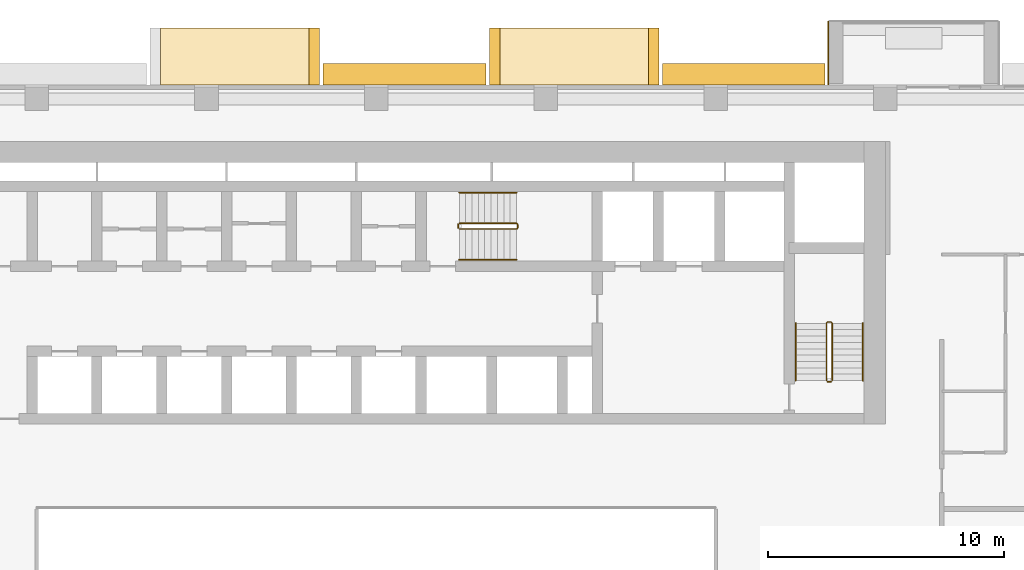
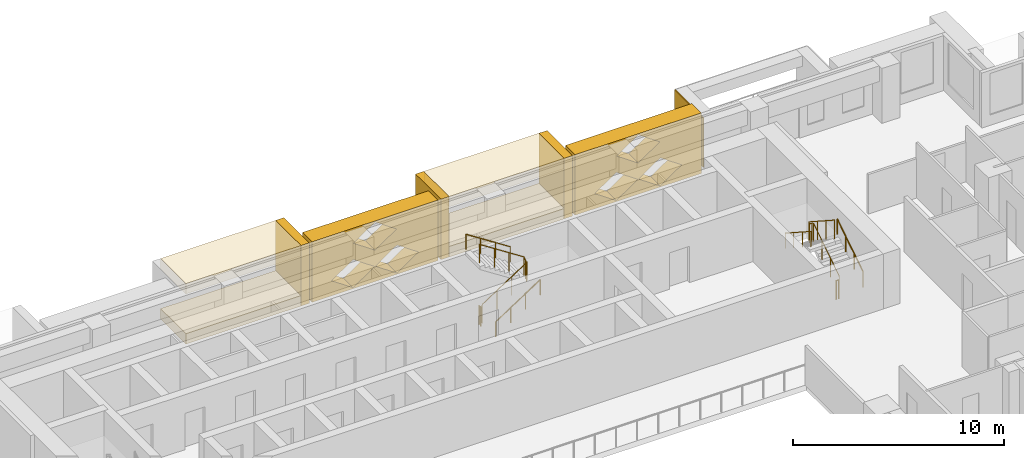
# One storey, part 15 of 16: 10 coverings, 8 railings.
"""IFC4 building model written with IfcOpenShell, lengths in metres."""

from ifc_helpers import new_model, si_unit, direction, frame, origin, origin_2d, place, context, subcontext, project, spatial, polyline, circle, outline, extrude, material, layer, layer_set, type_object, element, save


model = new_model("IFC4")

# Units and contexts
model_context = context("Model", 3, precision=1e-05, world=origin(), true_north=direction((0.0, 1.0)))
body_context = subcontext(model_context, "Body", "Model", "MODEL_VIEW")
ifc_project = project(units=[si_unit("LENGTHUNIT", "METRE"), si_unit("AREAUNIT", "SQUARE_METRE"), si_unit("VOLUMEUNIT", "CUBIC_METRE"), si_unit("PLANEANGLEUNIT", "RADIAN"), si_unit("MASSUNIT", "GRAM", prefix="KILO")], contexts=[model_context])

# Site, building, storey
site_placement = place(None, origin())
site = spatial("IfcSite", under=ifc_project, at=site_placement, CompositionType="ELEMENT")
building_placement = place(site_placement, origin())
building = spatial("IfcBuilding", under=site, at=building_placement, Name="Saffron Iwan Residences", CompositionType="ELEMENT")
storey_placement = place(building_placement, frame((0.0, 0.0, 69.0)))
storey = spatial("IfcBuildingStorey", under=building, at=storey_placement, Name="L17", CompositionType="ELEMENT", Elevation=69.0)

# Coverings
ifc_material_1 = material(Name="Precast concrete C40/50 white painted", Category="concrete")
ifc_layer = layer(ifc_material_1, 0.050048828125)
ifc_layer_set = layer_set([ifc_layer], Name="Precast concrete C40/50 white painted")
covering_type_1 = type_object("IfcCoveringType", Name="FRAME SKIN PRECAST WHITE 50", PredefinedType="CLADDING", material=ifc_layer_set)
covering_1_placement = place(storey_placement, origin())
element("IfcCovering", 1, at=covering_1_placement, inside=storey, type_object=covering_type_1, Name="Frame skin fin L17 F5-0b", PredefinedType="CLADDING", context=body_context, shape_type="SweptSolid", body=[
    extrude(outline(polyline([(69.60009765625, 83.10009765625), (69.550048828125, 83.10009765625), (69.550048828125, 80.39990234375), (69.60009765625, 80.39990234375), (69.60009765625, 83.10009765625)])), origin(), (0.0, 0.0, 1.0), 2.85009765625),
])
ifc_material_2 = material(Name="Precast concrete C40/50", Category="concrete")
covering_type_2 = type_object("IfcCoveringType", Name="OUTER SKIN LATTICE SCREEN", PredefinedType="CLADDING", material=ifc_material_2)
for number, where, z_axis, x_axis, name in (
    (2, (69.449951171875, 80.39990234375, -0.320068359375), (0.0, 1.0, 0.0), (-1.0, 0.0, 0.0), "OUTER SKIN lattice screen L17 F5.1"),
    (3, (55.050048828125, 80.39990234375, -0.320068359375), (0.0, 1.0, 0.0), (-1.0, 0.0, 0.0), "OUTER SKIN lattice screen L17 F5.2"),
):
    element("IfcCovering", number, at=place(storey_placement, frame(where, z_axis=z_axis, x_axis=x_axis)), inside=storey, type_object=covering_type_2, Name=name, PredefinedType="CLADDING", context=body_context, shape_type="SweptSolid", body=[
        extrude(outline(polyline([(0.0, 0.0), (6.89990234375, 0.0), (6.89990234375, 3.5), (0.0, 3.5), (0.0, 0.0)]), holes=[polyline([(1.070068359375, 0.875), (2.25, 0.06005859375), (3.429931640625, 0.875), (2.25, 1.68994140625), (1.070068359375, 0.875)]), polyline([(3.469970703125, 0.875), (4.64990234375, 0.06005859375), (5.830078125, 0.875), (4.64990234375, 1.68994140625), (3.469970703125, 0.875)]), polyline([(2.27001953125, 2.625), (3.449951171875, 1.81005859375), (4.6298828125, 2.625), (3.449951171875, 3.43994140625), (2.27001953125, 2.625)])]), origin(), (0.0, 0.0, 1.0), 0.900146484375),
    ])

# Railings
ifc_material_3 = material(Name="Steel S355", Category="steel")
railing_type_1 = type_object("IfcRailingType", Name="Stair guard 1100", PredefinedType="GUARDRAIL", material=ifc_material_3)
railing_1_placement = place(storey_placement, frame((53.925048828125, 74.27490234375, 0.175048828125)))
element("IfcRailing", 4, at=railing_1_placement, inside=storey, type_object=railing_type_1, Name="L17 ST-C stair guard 1", PredefinedType="GUARDRAIL", context=body_context, shape_type="SweptSolid", body=[
    extrude(circle(Radius=0.02392578125, at=origin_2d()), frame((0.0, 0.0, 1.076171875), z_axis=(0.839153699163, 0.0, 0.543894354798), x_axis=(0.0, 1.0, 0.0)), (0.0, 0.0, 1.0), 2.895751953125),
    extrude(circle(Radius=0.02392578125, at=origin_2d()), frame((2.429931640625, 0.0, 2.65087890625), z_axis=(0.707106781187, 0.707106781187, 0.0), x_axis=(-0.707106781187, 0.707106781187, 0.0)), (0.0, 0.0, 1.0), 0.07080078125),
    extrude(circle(Radius=0.02392578125, at=origin_2d()), frame((2.47998046875, 0.050048828125, 2.65087890625), z_axis=(0.0, 1.0, 0.0), x_axis=(-1.0, 0.0, 0.0)), (0.0, 0.0, 1.0), 0.150146484375),
    extrude(circle(Radius=0.02392578125, at=origin_2d()), frame((2.47998046875, 0.2001953125, 2.65087890625), z_axis=(-0.265155923931, 0.263862480399, 0.927399011991), x_axis=(-0.705375805398, -0.708833529934, 0.0)), (0.0, 0.0, 1.0), 0.188720703125),
    extrude(circle(Radius=0.02392578125, at=origin_2d()), frame((2.429931640625, 0.25, 2.826171875), z_axis=(-0.839153699163, 0.0, 0.543894354798), x_axis=(0.0, -1.0, 0.0)), (0.0, 0.0, 1.0), 2.895751953125),
    extrude(circle(Radius=0.02099609375, at=origin_2d()), origin(), (0.0, 0.0, 1.0), 1.052001953125),
    extrude(circle(Radius=0.02099609375, at=origin_2d()), frame((0.81005859375, 0.0, 0.52490234375)), (0.0, 0.0, 1.0), 1.052001953125),
    extrude(circle(Radius=0.02099609375, at=origin_2d()), frame((1.619873046875, 0.0, 1.050048828125)), (0.0, 0.0, 1.0), 1.052001953125),
    extrude(circle(Radius=0.02099609375, at=origin_2d()), frame((2.429931640625, 0.0, 1.574951171875)), (0.0, 0.0, 1.0), 1.052001953125),
    extrude(circle(Radius=0.02099609375, at=origin_2d()), frame((2.47998046875, 0.050048828125, 1.574951171875)), (0.0, 0.0, 1.0), 1.052001953125),
    extrude(circle(Radius=0.02099609375, at=origin_2d()), frame((2.47998046875, 0.2001953125, 1.574951171875)), (0.0, 0.0, 1.0), 1.052001953125),
    extrude(circle(Radius=0.02099609375, at=origin_2d()), frame((2.429931640625, 0.25, 1.75)), (0.0, 0.0, 1.0), 1.052001953125),
    extrude(circle(Radius=0.02099609375, at=origin_2d()), frame((1.619873046875, 0.25, 2.27490234375)), (0.0, 0.0, 1.0), 1.052001953125),
    extrude(circle(Radius=0.02099609375, at=origin_2d()), frame((0.81005859375, 0.25, 2.800048828125)), (0.0, 0.0, 1.0), 1.052001953125),
    extrude(circle(Radius=0.02099609375, at=origin_2d()), frame((0.0, 0.25, 3.324951171875)), (0.0, 0.0, 1.0), 1.052001953125),
])
railing_2_placement = place(storey_placement, frame((53.875, 74.324951171875, 0.0)))
element("IfcRailing", 5, at=railing_2_placement, inside=storey, type_object=railing_type_1, Name="L17 ST-C stair guard 2", PredefinedType="GUARDRAIL", context=body_context, shape_type="SweptSolid", body=[
    extrude(circle(Radius=0.02392578125, at=origin_2d()), frame((0.0, 0.0, 1.076171875), z_axis=(0.0, 1.0, 0.0), x_axis=(-1.0, 0.0, 0.0)), (0.0, 0.0, 1.0), 0.150146484375),
    extrude(circle(Radius=0.02099609375, at=origin_2d()), origin(), (0.0, 0.0, 1.0), 1.052001953125),
    extrude(circle(Radius=0.02099609375, at=origin_2d()), frame((0.0, 0.150146484375, 0.0)), (0.0, 0.0, 1.0), 1.052001953125),
])
railing_3_placement = place(storey_placement, frame((69.75, 67.85009765625, 0.175048828125)))
element("IfcRailing", 6, at=railing_3_placement, inside=storey, type_object=railing_type_1, Name="L17 ST-E stair guard 1", PredefinedType="GUARDRAIL", context=body_context, shape_type="SweptSolid", body=[
    extrude(circle(Radius=0.02392578125, at=origin_2d()), frame((0.0, 0.0, 1.076171875), z_axis=(0.0, 0.839153699163, 0.543894354798), x_axis=(-1.0, 0.0, 0.0)), (0.0, 0.0, 1.0), 2.895751953125),
    extrude(circle(Radius=0.02392578125, at=origin_2d()), frame((0.0, 2.429931640625, 2.65087890625), z_axis=(-0.707106781187, 0.707106781187, 0.0), x_axis=(-0.707106781187, -0.707106781187, 0.0)), (0.0, 0.0, 1.0), 0.07080078125),
    extrude(circle(Radius=0.02392578125, at=origin_2d()), frame((-0.050048828125, 2.47998046875, 2.65087890625), z_axis=(-1.0, 0.0, 0.0), x_axis=(0.0, -1.0, 0.0)), (0.0, 0.0, 1.0), 0.14990234375),
    extrude(circle(Radius=0.02392578125, at=origin_2d()), frame((-0.199951171875, 2.47998046875, 2.65087890625), z_axis=(-0.265065253269, -0.265065253269, 0.927081885822), x_axis=(0.707106781187, -0.707106781187, 0.0)), (0.0, 0.0, 1.0), 0.188720703125),
    extrude(circle(Radius=0.02392578125, at=origin_2d()), frame((-0.25, 2.429931640625, 2.826171875), z_axis=(0.0, -0.839153699163, 0.543894354798), x_axis=(1.0, 0.0, 0.0)), (0.0, 0.0, 1.0), 2.895751953125),
    extrude(circle(Radius=0.02099609375, at=origin_2d()), origin(), (0.0, 0.0, 1.0), 1.052001953125),
    extrude(circle(Radius=0.02099609375, at=origin_2d()), frame((0.0, 0.81005859375, 0.52490234375)), (0.0, 0.0, 1.0), 1.052001953125),
    extrude(circle(Radius=0.02099609375, at=origin_2d()), frame((0.0, 1.619873046875, 1.050048828125)), (0.0, 0.0, 1.0), 1.052001953125),
    extrude(circle(Radius=0.02099609375, at=origin_2d()), frame((0.0, 2.429931640625, 1.574951171875)), (0.0, 0.0, 1.0), 1.052001953125),
    extrude(circle(Radius=0.02099609375, at=origin_2d()), frame((-0.050048828125, 2.47998046875, 1.574951171875)), (0.0, 0.0, 1.0), 1.052001953125),
    extrude(circle(Radius=0.02099609375, at=origin_2d()), frame((-0.199951171875, 2.47998046875, 1.574951171875)), (0.0, 0.0, 1.0), 1.052001953125),
    extrude(circle(Radius=0.02099609375, at=origin_2d()), frame((-0.25, 2.429931640625, 1.75)), (0.0, 0.0, 1.0), 1.052001953125),
    extrude(circle(Radius=0.02099609375, at=origin_2d()), frame((-0.25, 1.619873046875, 2.27490234375)), (0.0, 0.0, 1.0), 1.052001953125),
    extrude(circle(Radius=0.02099609375, at=origin_2d()), frame((-0.25, 0.81005859375, 2.800048828125)), (0.0, 0.0, 1.0), 1.052001953125),
    extrude(circle(Radius=0.02099609375, at=origin_2d()), frame((-0.25, 0.0, 3.324951171875)), (0.0, 0.0, 1.0), 1.052001953125),
])
railing_4_placement = place(storey_placement, frame((69.699951171875, 67.800048828125, 0.0)))
element("IfcRailing", 7, at=railing_4_placement, inside=storey, type_object=railing_type_1, Name="L17 ST-E stair guard 2", PredefinedType="GUARDRAIL", context=body_context, shape_type="SweptSolid", body=[
    extrude(circle(Radius=0.02392578125, at=origin_2d()), frame((0.0, 0.0, 1.076171875), z_axis=(-1.0, 0.0, 0.0), x_axis=(0.0, -1.0, 0.0)), (0.0, 0.0, 1.0), 0.14990234375),
    extrude(circle(Radius=0.02099609375, at=origin_2d()), origin(), (0.0, 0.0, 1.0), 1.052001953125),
    extrude(circle(Radius=0.02099609375, at=origin_2d()), frame((-0.14990234375, 0.0, 0.0)), (0.0, 0.0, 1.0), 1.052001953125),
])
ifc_material_4 = material(Name="Stainless steel 316", Category="steel")
railing_type_2 = type_object("IfcRailingType", Name="Stair handrail 900", PredefinedType="HANDRAIL", material=ifc_material_4)
railing_5_placement = place(storey_placement, frame((53.925048828125, 72.97509765625, 0.175048828125)))
element("IfcRailing", 8, at=railing_5_placement, inside=storey, type_object=railing_type_2, Name="L17 ST-C stair handrail 1", PredefinedType="HANDRAIL", context=body_context, shape_type="SweptSolid", body=[
    extrude(circle(Radius=0.02392578125, at=origin_2d()), frame((0.0, 0.0, 0.8759765625), z_axis=(0.839153699163, 0.0, 0.543894354798), x_axis=(0.0, 1.0, 0.0)), (0.0, 0.0, 1.0), 2.895751953125),
    extrude(circle(Radius=0.02099609375, at=origin_2d()), origin(), (0.0, 0.0, 1.0), 0.851806640625),
    extrude(circle(Radius=0.02099609375, at=origin_2d()), frame((0.81005859375, 0.0, 0.52490234375)), (0.0, 0.0, 1.0), 0.851806640625),
    extrude(circle(Radius=0.02099609375, at=origin_2d()), frame((1.619873046875, 0.0, 1.050048828125)), (0.0, 0.0, 1.0), 0.851806640625),
    extrude(circle(Radius=0.02099609375, at=origin_2d()), frame((2.429931640625, 0.0, 1.574951171875)), (0.0, 0.0, 1.0), 0.851806640625),
])
railing_6_placement = place(storey_placement, frame((56.35498046875, 75.824951171875, 1.925048828125)))
element("IfcRailing", 9, at=railing_6_placement, inside=storey, type_object=railing_type_2, Name="L17 ST-C stair handrail 2", PredefinedType="HANDRAIL", context=body_context, shape_type="SweptSolid", body=[
    extrude(circle(Radius=0.02392578125, at=origin_2d()), frame((0.0, 0.0, 0.8759765625), z_axis=(-0.839153699163, 0.0, 0.543894354798), x_axis=(0.0, -1.0, 0.0)), (0.0, 0.0, 1.0), 2.895751953125),
    extrude(circle(Radius=0.02099609375, at=origin_2d()), origin(), (0.0, 0.0, 1.0), 0.851806640625),
    extrude(circle(Radius=0.02099609375, at=origin_2d()), frame((-0.81005859375, 0.0, 0.52490234375)), (0.0, 0.0, 1.0), 0.851806640625),
    extrude(circle(Radius=0.02099609375, at=origin_2d()), frame((-1.619873046875, 0.0, 1.050048828125)), (0.0, 0.0, 1.0), 0.851806640625),
    extrude(circle(Radius=0.02099609375, at=origin_2d()), frame((-2.429931640625, 0.0, 1.574951171875)), (0.0, 0.0, 1.0), 0.851806640625),
])
railing_7_placement = place(storey_placement, frame((71.050048828125, 67.85009765625, 0.175048828125)))
element("IfcRailing", 10, at=railing_7_placement, inside=storey, type_object=railing_type_2, Name="L17 ST-E stair handrail 1", PredefinedType="HANDRAIL", context=body_context, shape_type="SweptSolid", body=[
    extrude(circle(Radius=0.02392578125, at=origin_2d()), frame((0.0, 0.0, 0.8759765625), z_axis=(0.0, 0.839153699163, 0.543894354798), x_axis=(-1.0, 0.0, 0.0)), (0.0, 0.0, 1.0), 2.895751953125),
    extrude(circle(Radius=0.02099609375, at=origin_2d()), origin(), (0.0, 0.0, 1.0), 0.851806640625),
    extrude(circle(Radius=0.02099609375, at=origin_2d()), frame((0.0, 0.81005859375, 0.52490234375)), (0.0, 0.0, 1.0), 0.851806640625),
    extrude(circle(Radius=0.02099609375, at=origin_2d()), frame((0.0, 1.619873046875, 1.050048828125)), (0.0, 0.0, 1.0), 0.851806640625),
    extrude(circle(Radius=0.02099609375, at=origin_2d()), frame((0.0, 2.429931640625, 1.574951171875)), (0.0, 0.0, 1.0), 0.851806640625),
])
railing_8_placement = place(storey_placement, frame((68.199951171875, 70.280029296875, 1.925048828125)))
element("IfcRailing", 11, at=railing_8_placement, inside=storey, type_object=railing_type_2, Name="L17 ST-E stair handrail 2", PredefinedType="HANDRAIL", context=body_context, shape_type="SweptSolid", body=[
    extrude(circle(Radius=0.02392578125, at=origin_2d()), frame((0.0, 0.0, 0.8759765625), z_axis=(0.0, -0.839153699163, 0.543894354798), x_axis=(1.0, 0.0, 0.0)), (0.0, 0.0, 1.0), 2.895751953125),
    extrude(circle(Radius=0.02099609375, at=origin_2d()), origin(), (0.0, 0.0, 1.0), 0.851806640625),
    extrude(circle(Radius=0.02099609375, at=origin_2d()), frame((0.0, -0.81005859375, 0.52490234375)), (0.0, 0.0, 1.0), 0.851806640625),
    extrude(circle(Radius=0.02099609375, at=origin_2d()), frame((0.0, -1.619873046875, 1.050048828125)), (0.0, 0.0, 1.0), 0.851806640625),
    extrude(circle(Radius=0.02099609375, at=origin_2d()), frame((0.0, -2.429931640625, 1.574951171875)), (0.0, 0.0, 1.0), 0.851806640625),
])

# Coverings
covering_type_3 = type_object("IfcCoveringType", Name="WHITE SUN FRAME PRECAST", PredefinedType="CLADDING", material=ifc_material_1)
for number, where, z_axis, x_axis, name in (
    (12, (62.39990234375, 80.39990234375, -0.320068359375), (0.0, 1.0, 0.0), (-1.0, 0.0, 0.0), "Sun frame L17 F5 20.4a"),
    (13, (55.64990234375, 80.39990234375, -0.320068359375), (0.0, 1.0, 0.0), (-1.0, 0.0, 0.0), "Sun frame L17 F5 20.4b"),
):
    element("IfcCovering", number, at=place(storey_placement, frame(where, z_axis=z_axis, x_axis=x_axis)), inside=storey, type_object=covering_type_3, Name=name, PredefinedType="CLADDING", context=body_context, shape_type="SweptSolid", body=[
        extrude(outline(polyline([(0.0, 0.0), (0.449951171875, 0.0), (0.449951171875, 3.5), (0.0, 3.5), (0.0, 0.0)])), origin(), (0.0, 0.0, 1.0), 2.400146484375),
    ])
for number, where, z_axis, x_axis, name in (
    (14, (61.949951171875, 80.39990234375, 2.580078125), (0.0, 1.0, 0.0), (-1.0, 0.0, 0.0), "Sun frame L17 F5 20.4h"),
    (15, (61.949951171875, 80.39990234375, -0.320068359375), (0.0, 1.0, 0.0), (-1.0, 0.0, 0.0), "Sun frame L17 F5 20.4s"),
):
    element("IfcCovering", number, at=place(storey_placement, frame(where, z_axis=z_axis, x_axis=x_axis)), inside=storey, type_object=covering_type_3, Name=name, PredefinedType="CLADDING", context=body_context, shape_type="SweptSolid", body=[
        extrude(outline(polyline([(0.0, 0.0), (6.300048828125, 0.0), (6.300048828125, 0.60009765625), (0.0, 0.60009765625), (0.0, 0.0)])), origin(), (0.0, 0.0, 1.0), 2.400146484375),
    ])
covering_2_placement = place(storey_placement, frame((48.0, 80.39990234375, -0.320068359375), z_axis=(0.0, 1.0, 0.0), x_axis=(-1.0, 0.0, 0.0)))
element("IfcCovering", 16, at=covering_2_placement, inside=storey, type_object=covering_type_3, Name="Sun frame L17 F5 34.8a", PredefinedType="CLADDING", context=body_context, shape_type="SweptSolid", body=[
    extrude(outline(polyline([(0.0, 0.0), (0.449951171875, 0.0), (0.449951171875, 3.5), (0.0, 3.5), (0.0, 0.0)])), origin(), (0.0, 0.0, 1.0), 2.400146484375),
])
for number, where, z_axis, x_axis, name in (
    (17, (47.550048828125, 80.39990234375, 2.580078125), (0.0, 1.0, 0.0), (-1.0, 0.0, 0.0), "Sun frame L17 F5 34.8h"),
    (18, (47.550048828125, 80.39990234375, -0.320068359375), (0.0, 1.0, 0.0), (-1.0, 0.0, 0.0), "Sun frame L17 F5 34.8s"),
):
    element("IfcCovering", number, at=place(storey_placement, frame(where, z_axis=z_axis, x_axis=x_axis)), inside=storey, type_object=covering_type_3, Name=name, PredefinedType="CLADDING", context=body_context, shape_type="SweptSolid", body=[
        extrude(outline(polyline([(0.0, 0.0), (6.300048828125, 0.0), (6.300048828125, 0.60009765625), (0.0, 0.60009765625), (0.0, 0.0)])), origin(), (0.0, 0.0, 1.0), 2.400146484375),
    ])

save(model, "model.ifc")
